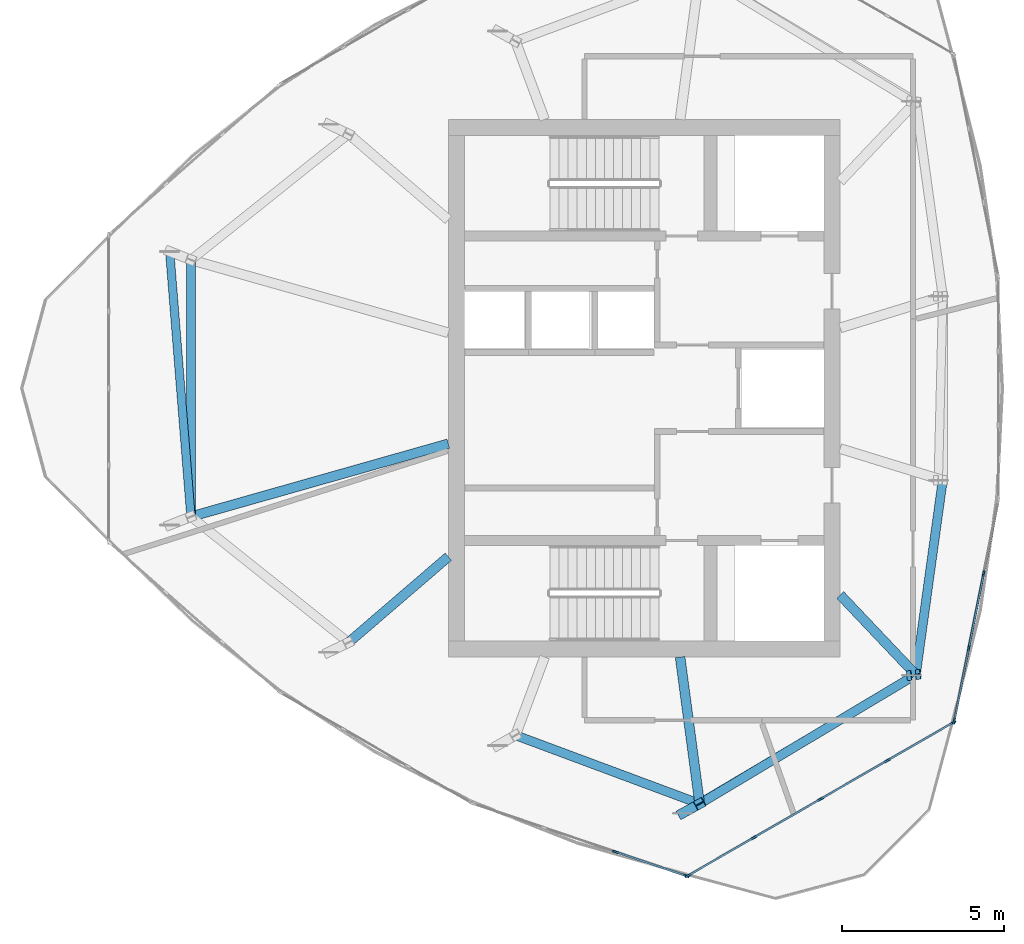
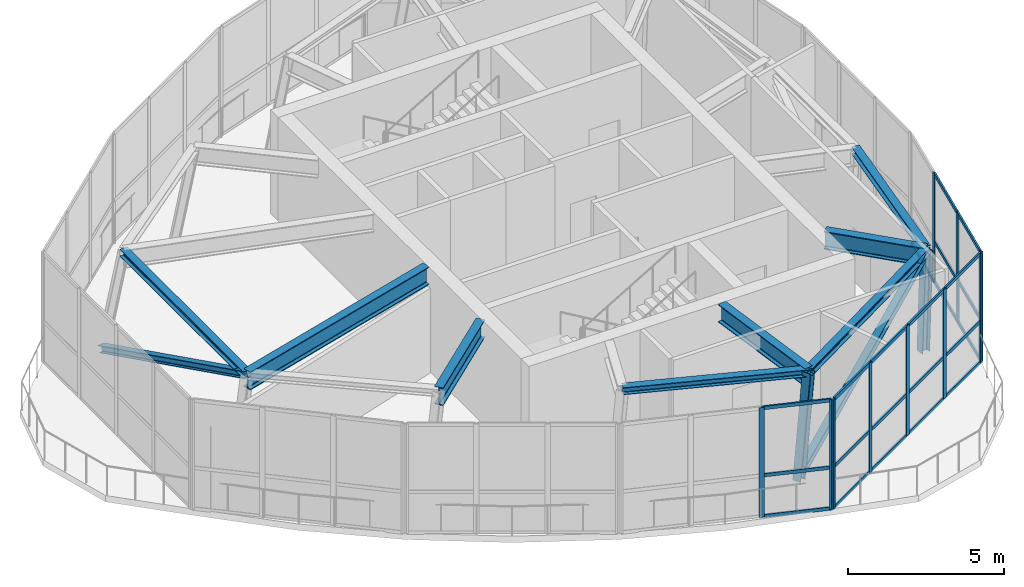
# One storey, part 2 of 11: 40 members, 4 beams, 3 elements without a shape of their own.
"""IFC4 building model written with IfcOpenShell, lengths in metres."""

from ifc_helpers import new_model, si_unit, direction, frame, origin, origin_2d, place, context, subcontext, project, spatial, rectangle, i_section, extrude, source, transform, mapped, material, layer, layer_set, material_profile, profile_set, type_object, element, aggregate, save


model = new_model("IFC4")

# Units and contexts
model_context = context("Model", 3, precision=1e-05, world=origin(), true_north=direction((0.0, 1.0)))
body_context = subcontext(model_context, "Body", "Model", "MODEL_VIEW")
ifc_project = project(units=[si_unit("LENGTHUNIT", "METRE"), si_unit("AREAUNIT", "SQUARE_METRE"), si_unit("VOLUMEUNIT", "CUBIC_METRE"), si_unit("PLANEANGLEUNIT", "RADIAN"), si_unit("MASSUNIT", "GRAM", prefix="KILO")], contexts=[model_context])

# Site, building, storey
site_placement = place(None, origin())
site = spatial("IfcSite", under=ifc_project, at=site_placement, CompositionType="ELEMENT")
building_placement = place(site_placement, origin())
building = spatial("IfcBuilding", under=site, at=building_placement, Name="Qafzar Sky-Pleat Residences", CompositionType="ELEMENT")
storey_placement = place(building_placement, frame((0.0, 0.0, 253.199951171875)))
storey = spatial("IfcBuildingStorey", under=building, at=storey_placement, Name="L76 Crown", CompositionType="ELEMENT", Elevation=253.199951171875)

# Members
ifc_material_1 = material(Name="Steel S460", Category="steel")
ifc_material_profile_1 = material_profile(ifc_material_1, i_section(OverallWidth=0.300048828125, OverallDepth=0.300048828125, WebThickness=0.010986328125, FlangeThickness=0.01904296875, FilletRadius=0.027099609375, at=origin_2d()), Name="HEB 300")
ifc_profile_set_1 = profile_set([ifc_material_profile_1], Name="Steel S460")
member_type_1 = type_object("IfcMemberType", Name="MEM-CROWN-RIB", PredefinedType="CHORD", material=ifc_profile_set_1)
shared_shape_1 = source(origin(), body_context, "Body", "SweptSolid", [
    extrude(i_section(OverallWidth=0.300048828125, OverallDepth=0.300048828125, WebThickness=0.010986328125, FlangeThickness=0.01904296875, FilletRadius=0.027099609375, at=origin_2d()), origin(), (0.0, 0.0, 1.0), 3.941650390625),
])
member_1_placement = place(storey_placement, frame((31.535400390625, 12.8818359375, 0.0), z_axis=(0.133165190514, 0.073086011538, 0.988395400107), x_axis=(-0.481135942718, 0.876645997325, 0.0)))
element("IfcMember", 1, at=member_1_placement, inside=storey, type_object=member_type_1, Name="L76 Crown CROWN FRAME Inclined Rib 5", PredefinedType="CHORD", context=body_context, shape_type="MappedRepresentation", body=[
    mapped(shared_shape_1, transform((0.0, 0.0, 0.0), x_axis=(1.0, 0.0, 0.0), y_axis=(0.0, 1.0, 0.0), z_axis=(0.0, 0.0, 1.0), scale=1.0)),
])
shared_shape_2 = source(origin(), body_context, "Body", "SweptSolid", [
    extrude(i_section(OverallWidth=0.300048828125, OverallDepth=0.300048828125, WebThickness=0.010986328125, FlangeThickness=0.01904296875, FilletRadius=0.027099609375, at=origin_2d()), origin(), (0.0, 0.0, 1.0), 3.898193359375),
])
member_2_placement = place(storey_placement, frame((38.60302734375, 17.138916015625, 0.0), z_axis=(0.033318716266, 0.00413352495, 0.99943622964), x_axis=(-0.123116331212, 0.99239224553, 0.0)))
element("IfcMember", 2, at=member_2_placement, inside=storey, type_object=member_type_1, Name="L76 Crown CROWN FRAME Inclined Rib 6", PredefinedType="CHORD", context=body_context, shape_type="MappedRepresentation", body=[
    mapped(shared_shape_2, transform((0.0, 0.0, 0.0), x_axis=(1.0, 0.0, 0.0), y_axis=(0.0, 1.0, 0.0), z_axis=(0.0, 0.0, 1.0), scale=1.0)),
])
ifc_material_2 = material(Name="Steel S355", Category="steel")
ifc_material_profile_2 = material_profile(ifc_material_2, i_section(OverallWidth=0.280029296875, OverallDepth=0.280029296875, WebThickness=0.010498046875, FlangeThickness=0.01806640625, FilletRadius=0.02392578125, at=origin_2d()), Name="HEB 280")
ifc_profile_set_2 = profile_set([ifc_material_profile_2], Name="Steel S355")
member_type_2 = type_object("IfcMemberType", Name="MEM-CROWN-RING", PredefinedType="PURLIN", material=ifc_profile_set_2)
shared_shape_3 = source(origin(), body_context, "Body", "SweptSolid", [
    extrude(i_section(OverallWidth=0.280029296875, OverallDepth=0.280029296875, WebThickness=0.010498046875, FlangeThickness=0.01806640625, FilletRadius=0.02392578125, at=origin_2d()), origin(), (0.0, 0.0, 1.0), 7.9287109375),
])
member_3_placement = place(storey_placement, frame((16.35302734375, 29.96435546875, 3.906005859375), z_axis=(0.0, -1.0, 0.0), x_axis=(1.0, 0.0, 0.0)))
element("IfcMember", 3, at=member_3_placement, inside=storey, type_object=member_type_2, Name="L76 Crown CROWN FRAME Ring Beam 1", PredefinedType="PURLIN", context=body_context, shape_type="MappedRepresentation", body=[
    mapped(shared_shape_3, transform((0.0, 0.0, 0.0), x_axis=(1.0, 0.0, 0.0), y_axis=(0.0, 1.0, 0.0), z_axis=(0.0, 0.0, 1.0), scale=1.0)),
])
ifc_material_profile_3 = material_profile(ifc_material_2, i_section(OverallWidth=0.260009765625, OverallDepth=0.260009765625, WebThickness=0.010009765625, FlangeThickness=0.017578125, FilletRadius=0.02392578125, at=origin_2d()), Name="HEB 260")
ifc_profile_set_3 = profile_set([ifc_material_profile_3], Name="Steel S355")
member_type_3 = type_object("IfcMemberType", Name="MEM-CROWN-DIAG", PredefinedType="BRACE", material=ifc_profile_set_3)
shared_shape_4 = source(origin(), body_context, "Body", "SweptSolid", [
    extrude(i_section(OverallWidth=0.260009765625, OverallDepth=0.260009765625, WebThickness=0.010009765625, FlangeThickness=0.017578125, FilletRadius=0.02392578125, at=origin_2d()), origin(), (0.0, 0.0, 1.0), 9.015625),
])
member_4_placement = place(storey_placement, frame((15.69580078125, 30.223388671875, 0.199951171875), z_axis=(0.072899177767, -0.908179689742, 0.412183649628), x_axis=(0.996793884372, 0.080012199563, 0.0)))
element("IfcMember", 4, at=member_4_placement, inside=storey, type_object=member_type_3, Name="L76 Crown CROWN FRAME Wind Brace 1", PredefinedType="BRACE", context=body_context, shape_type="MappedRepresentation", body=[
    mapped(shared_shape_4, transform((0.0, 0.0, 0.0), x_axis=(1.0, 0.0, 0.0), y_axis=(0.0, 1.0, 0.0), z_axis=(0.0, 0.0, 1.0), scale=1.0)),
])
shared_shape_5 = source(origin(), body_context, "Body", "SweptSolid", [
    extrude(i_section(OverallWidth=0.280029296875, OverallDepth=0.280029296875, WebThickness=0.010498046875, FlangeThickness=0.01806640625, FilletRadius=0.02392578125, at=origin_2d()), origin(), (0.0, 0.0, 1.0), 6.066162109375),
])
member_5_placement = place(storey_placement, frame((26.375244140625, 15.2861328125, 3.906005859375), z_axis=(0.937176568402, -0.348855384991, 0.0), x_axis=(0.348855384991, 0.937176568402, 0.0)))
element("IfcMember", 5, at=member_5_placement, inside=storey, type_object=member_type_2, Name="L76 Crown CROWN FRAME Ring Beam 4", PredefinedType="PURLIN", context=body_context, shape_type="MappedRepresentation", body=[
    mapped(shared_shape_5, transform((0.0, 0.0, 0.0), x_axis=(1.0, 0.0, 0.0), y_axis=(0.0, 1.0, 0.0), z_axis=(0.0, 0.0, 1.0), scale=1.0)),
])
shared_shape_6 = source(origin(), body_context, "Body", "SweptSolid", [
    extrude(i_section(OverallWidth=0.280029296875, OverallDepth=0.280029296875, WebThickness=0.010498046875, FlangeThickness=0.01806640625, FilletRadius=0.02392578125, at=origin_2d()), origin(), (0.0, 0.0, 1.0), 7.77197265625),
])
member_6_placement = place(storey_placement, frame((32.060302734375, 13.169921875, 3.906005859375), z_axis=(0.858538851702, 0.512748515471, 0.0), x_axis=(-0.512748515471, 0.858538851702, 0.0)))
element("IfcMember", 6, at=member_6_placement, inside=storey, type_object=member_type_2, Name="L76 Crown CROWN FRAME Ring Beam 5", PredefinedType="PURLIN", context=body_context, shape_type="MappedRepresentation", body=[
    mapped(shared_shape_6, transform((0.0, 0.0, 0.0), x_axis=(1.0, 0.0, 0.0), y_axis=(0.0, 1.0, 0.0), z_axis=(0.0, 0.0, 1.0), scale=1.0)),
])
shared_shape_7 = source(origin(), body_context, "Body", "SweptSolid", [
    extrude(i_section(OverallWidth=0.260009765625, OverallDepth=0.260009765625, WebThickness=0.010009765625, FlangeThickness=0.017578125, FilletRadius=0.02392578125, at=origin_2d()), origin(), (0.0, 0.0, 1.0), 9.158203125),
])
member_7_placement = place(storey_placement, frame((31.535400390625, 12.8818359375, 0.199951171875), z_axis=(0.785904860272, 0.466595189083, 0.405761605041), x_axis=(-0.510509776411, 0.859871948716, 0.0)))
element("IfcMember", 7, at=member_7_placement, inside=storey, type_object=member_type_3, Name="L76 Crown CROWN FRAME Wind Brace 5", PredefinedType="BRACE", context=body_context, shape_type="MappedRepresentation", body=[
    mapped(shared_shape_7, transform((0.0, 0.0, 0.0), x_axis=(1.0, 0.0, 0.0), y_axis=(0.0, 1.0, 0.0), z_axis=(0.0, 0.0, 1.0), scale=1.0)),
])
shared_shape_8 = source(origin(), body_context, "Body", "SweptSolid", [
    extrude(i_section(OverallWidth=0.280029296875, OverallDepth=0.280029296875, WebThickness=0.010498046875, FlangeThickness=0.01806640625, FilletRadius=0.02392578125, at=origin_2d()), origin(), (0.0, 0.0, 1.0), 6.064208984375),
])
member_8_placement = place(storey_placement, frame((38.73291015625, 17.155029296875, 3.906005859375), z_axis=(0.137125102778, 0.990553737153, 0.0), x_axis=(-0.990553737153, 0.137125102778, 0.0)))
element("IfcMember", 8, at=member_8_placement, inside=storey, type_object=member_type_2, Name="L76 Crown CROWN FRAME Ring Beam 6", PredefinedType="PURLIN", context=body_context, shape_type="MappedRepresentation", body=[
    mapped(shared_shape_8, transform((0.0, 0.0, 0.0), x_axis=(1.0, 0.0, 0.0), y_axis=(0.0, 1.0, 0.0), z_axis=(0.0, 0.0, 1.0), scale=1.0)),
])

# Beams
ifc_material_profile_4 = material_profile(ifc_material_1, i_section(OverallWidth=0.300048828125, OverallDepth=0.699951171875, WebThickness=0.01708984375, FlangeThickness=0.031982421875, FilletRadius=0.027099609375, at=origin_2d()), Name="HEB 700")
ifc_profile_set_4 = profile_set([ifc_material_profile_4], Name="Steel S460")
beam_type = type_object("IfcBeamType", Name="BM-CHORD-HEB700", PredefinedType="BEAM", material=ifc_profile_set_4)
shared_shape_9 = source(origin(), body_context, "Body", "SweptSolid", [
    extrude(i_section(OverallWidth=0.300048828125, OverallDepth=0.699951171875, WebThickness=0.01708984375, FlangeThickness=0.031982421875, FilletRadius=0.027099609375, at=origin_2d()), origin(), (0.0, 0.0, 1.0), 8.259521484375),
])
beam_1_placement = place(storey_placement, frame((16.35302734375, 22.03564453125, 3.697998046875), z_axis=(0.962156051148, 0.272499051812, 0.0), x_axis=(-0.272499051812, 0.962156051148, 0.0)))
element("IfcBeam", 9, at=beam_1_placement, inside=storey, type_object=beam_type, Name="L77 Crown Crown Rib Base Transfer Beam 2", PredefinedType="BEAM", context=body_context, shape_type="MappedRepresentation", body=[
    mapped(shared_shape_9, transform((0.0, 0.0, 0.0), x_axis=(1.0, 0.0, 0.0), y_axis=(0.0, 1.0, 0.0), z_axis=(0.0, 0.0, 1.0), scale=1.0)),
])
shared_shape_10 = source(origin(), body_context, "Body", "SweptSolid", [
    extrude(i_section(OverallWidth=0.300048828125, OverallDepth=0.699951171875, WebThickness=0.01708984375, FlangeThickness=0.031982421875, FilletRadius=0.027099609375, at=origin_2d()), origin(), (0.0, 0.0, 1.0), 4.06201171875),
])
beam_2_placement = place(storey_placement, frame((21.219970703125, 18.150390625, 3.697998046875), z_axis=(0.758267198788, 0.651943904982, 0.0), x_axis=(-0.651943904982, 0.758267198788, 0.0)))
element("IfcBeam", 10, at=beam_2_placement, inside=storey, type_object=beam_type, Name="L77 Crown Crown Rib Base Transfer Beam 3", PredefinedType="BEAM", context=body_context, shape_type="MappedRepresentation", body=[
    mapped(shared_shape_10, transform((0.0, 0.0, 0.0), x_axis=(1.0, 0.0, 0.0), y_axis=(0.0, 1.0, 0.0), z_axis=(0.0, 0.0, 1.0), scale=1.0)),
])
shared_shape_11 = source(origin(), body_context, "Body", "SweptSolid", [
    extrude(i_section(OverallWidth=0.300048828125, OverallDepth=0.699951171875, WebThickness=0.01708984375, FlangeThickness=0.031982421875, FilletRadius=0.027099609375, at=origin_2d()), origin(), (0.0, 0.0, 1.0), 4.570068359375),
])
beam_3_placement = place(storey_placement, frame((32.060302734375, 13.169921875, 3.697998046875), z_axis=(-0.132163720091, 0.991227900683, 0.0), x_axis=(-0.991227900683, -0.132163720091, 0.0)))
element("IfcBeam", 11, at=beam_3_placement, inside=storey, type_object=beam_type, Name="L77 Crown Crown Rib Base Transfer Beam 5", PredefinedType="BEAM", context=body_context, shape_type="MappedRepresentation", body=[
    mapped(shared_shape_11, transform((0.0, 0.0, 0.0), x_axis=(1.0, 0.0, 0.0), y_axis=(0.0, 1.0, 0.0), z_axis=(0.0, 0.0, 1.0), scale=1.0)),
])
shared_shape_12 = source(origin(), body_context, "Body", "SweptSolid", [
    extrude(i_section(OverallWidth=0.300048828125, OverallDepth=0.699951171875, WebThickness=0.01708984375, FlangeThickness=0.031982421875, FilletRadius=0.027099609375, at=origin_2d()), origin(), (0.0, 0.0, 1.0), 3.391357421875),
])
beam_4_placement = place(storey_placement, frame((38.73291015625, 17.155029296875, 3.697998046875), z_axis=(-0.68792034231, 0.725786196229, 0.0), x_axis=(-0.725786196229, -0.68792034231, 0.0)))
element("IfcBeam", 12, at=beam_4_placement, inside=storey, type_object=beam_type, Name="L77 Crown Crown Rib Base Transfer Beam 6", PredefinedType="BEAM", context=body_context, shape_type="MappedRepresentation", body=[
    mapped(shared_shape_12, transform((0.0, 0.0, 0.0), x_axis=(1.0, 0.0, 0.0), y_axis=(0.0, 1.0, 0.0), z_axis=(0.0, 0.0, 1.0), scale=1.0)),
])

# Curtain wall, members
ifc_material_3 = material(Name="Anodised bronze aluminium framing", Category="aluminium")
ifc_layer = layer(ifc_material_3, 0.179931640625)
ifc_layer_set = layer_set([ifc_layer], Name="Anodised bronze aluminium framing")
curtain_wall_type = type_object("IfcCurtainWallType", Name="CW-SYS-06", PredefinedType="NOTDEFINED", material=ifc_layer_set)
curtain_wall_1_placement = place(storey_placement, origin())
curtain_wall_1 = element("IfcCurtainWall", 13, at=curtain_wall_1_placement, inside=storey, type_object=curtain_wall_type, Name="L76 Crown CW-06 Curtain Wall CW-CROWN-01-04", PredefinedType="NOTDEFINED")
ifc_material_4 = material(Name="Anodised bronze aluminium", Category="aluminium")
ifc_material_profile_5 = material_profile(ifc_material_4, rectangle(XDim=0.06005859375, YDim=0.179931640625, at=origin_2d()), Name="ALU MULLION 60x180")
ifc_profile_set_5 = profile_set([ifc_material_profile_5], Name="Anodised bronze aluminium")
member_type_4 = type_object("IfcMemberType", Name="CWM-06", PredefinedType="MULLION", material=ifc_profile_set_5)
shared_shape_13 = source(origin(), body_context, "Body", "SweptSolid", [
    extrude(rectangle(XDim=0.06005859375, YDim=0.179931640625, at=origin_2d()), origin(), (0.0, 0.0, 1.0), 4.300048828125),
])
member_9_placement = place(storey_placement, frame((29.461181640625, 11.685302734375, 0.0), z_axis=(0.0, 0.0, 1.0), x_axis=(0.320453965191, 0.947264089995, 0.0)))
member_9 = element("IfcMember", 14, at=member_9_placement, type_object=member_type_4, Name="CW-06 mullion 3", PredefinedType="MULLION", context=body_context, shape_type="MappedRepresentation", body=[
    mapped(shared_shape_13, transform((0.0, 0.0, 0.0), x_axis=(1.0, 0.0, 0.0), y_axis=(0.0, 1.0, 0.0), z_axis=(0.0, 0.0, 1.0), scale=1.0)),
])
member_10_placement = place(storey_placement, frame((31.645751953125, 10.9462890625, 0.0), z_axis=(0.0, 0.0, 1.0), x_axis=(0.320453965191, 0.947264089995, 0.0)))
member_10 = element("IfcMember", 15, at=member_10_placement, type_object=member_type_4, Name="CW-06 mullion 4", PredefinedType="MULLION", context=body_context, shape_type="MappedRepresentation", body=[
    mapped(shared_shape_13, transform((0.0, 0.0, 0.0), x_axis=(1.0, 0.0, 0.0), y_axis=(0.0, 1.0, 0.0), z_axis=(0.0, 0.0, 1.0), scale=1.0)),
])

curtain_wall_2_placement = place(storey_placement, origin())
curtain_wall_2 = element("IfcCurtainWall", 16, at=curtain_wall_2_placement, inside=storey, type_object=curtain_wall_type, Name="L76 Crown CW-06 Curtain Wall CW-CROWN-01-05", PredefinedType="NOTDEFINED")
member_11_placement = place(storey_placement, frame((31.7001953125, 10.95166015625, 0.0), z_axis=(0.0, 0.0, 1.0), x_axis=(-0.50000340554, 0.866023437586, 0.0)))
member_11 = element("IfcMember", 17, at=member_11_placement, type_object=member_type_4, Name="CW-06 mullion 1", PredefinedType="MULLION", context=body_context, shape_type="MappedRepresentation", body=[
    mapped(shared_shape_13, transform((0.0, 0.0, 0.0), x_axis=(1.0, 0.0, 0.0), y_axis=(0.0, 1.0, 0.0), z_axis=(0.0, 0.0, 1.0), scale=1.0)),
])
member_12_placement = place(storey_placement, frame((33.733154296875, 12.12548828125, 0.0), z_axis=(0.0, 0.0, 1.0), x_axis=(-0.50000340554, 0.866023437586, 0.0)))
member_12 = element("IfcMember", 18, at=member_12_placement, type_object=member_type_4, Name="CW-06 mullion 2", PredefinedType="MULLION", context=body_context, shape_type="MappedRepresentation", body=[
    mapped(shared_shape_13, transform((0.0, 0.0, 0.0), x_axis=(1.0, 0.0, 0.0), y_axis=(0.0, 1.0, 0.0), z_axis=(0.0, 0.0, 1.0), scale=1.0)),
])
member_13_placement = place(storey_placement, frame((35.7919921875, 13.314208984375, 0.0), z_axis=(0.0, 0.0, 1.0), x_axis=(-0.50000340554, 0.866023437586, 0.0)))
member_13 = element("IfcMember", 19, at=member_13_placement, type_object=member_type_4, Name="CW-06 mullion 3", PredefinedType="MULLION", context=body_context, shape_type="MappedRepresentation", body=[
    mapped(shared_shape_13, transform((0.0, 0.0, 0.0), x_axis=(1.0, 0.0, 0.0), y_axis=(0.0, 1.0, 0.0), z_axis=(0.0, 0.0, 1.0), scale=1.0)),
])
member_14_placement = place(storey_placement, frame((37.85107421875, 14.5029296875, 0.0), z_axis=(0.0, 0.0, 1.0), x_axis=(-0.50000340554, 0.866023437586, 0.0)))
member_14 = element("IfcMember", 20, at=member_14_placement, type_object=member_type_4, Name="CW-06 mullion 4", PredefinedType="MULLION", context=body_context, shape_type="MappedRepresentation", body=[
    mapped(shared_shape_13, transform((0.0, 0.0, 0.0), x_axis=(1.0, 0.0, 0.0), y_axis=(0.0, 1.0, 0.0), z_axis=(0.0, 0.0, 1.0), scale=1.0)),
])
member_15_placement = place(storey_placement, frame((39.884033203125, 15.6767578125, 0.0), z_axis=(0.0, 0.0, 1.0), x_axis=(-0.50000340554, 0.866023437586, 0.0)))
member_15 = element("IfcMember", 21, at=member_15_placement, type_object=member_type_4, Name="CW-06 mullion 5", PredefinedType="MULLION", context=body_context, shape_type="MappedRepresentation", body=[
    mapped(shared_shape_13, transform((0.0, 0.0, 0.0), x_axis=(1.0, 0.0, 0.0), y_axis=(0.0, 1.0, 0.0), z_axis=(0.0, 0.0, 1.0), scale=1.0)),
])

curtain_wall_3_placement = place(storey_placement, origin())
curtain_wall_3 = element("IfcCurtainWall", 22, at=curtain_wall_3_placement, inside=storey, type_object=curtain_wall_type, Name="L76 Crown CW-06 Curtain Wall CW-CROWN-01-06", PredefinedType="NOTDEFINED")
member_16_placement = place(storey_placement, frame((39.916015625, 15.72119140625, 0.0), z_axis=(0.0, 0.0, 1.0), x_axis=(-0.980581224497, 0.196113391089, 0.0)))
member_16 = element("IfcMember", 23, at=member_16_placement, type_object=member_type_4, Name="CW-06 mullion 1", PredefinedType="MULLION", context=body_context, shape_type="MappedRepresentation", body=[
    mapped(shared_shape_13, transform((0.0, 0.0, 0.0), x_axis=(1.0, 0.0, 0.0), y_axis=(0.0, 1.0, 0.0), z_axis=(0.0, 0.0, 1.0), scale=1.0)),
])
member_17_placement = place(storey_placement, frame((40.3681640625, 17.982421875, 0.0), z_axis=(0.0, 0.0, 1.0), x_axis=(-0.980581224497, 0.196113391089, 0.0)))
member_17 = element("IfcMember", 24, at=member_17_placement, type_object=member_type_4, Name="CW-06 mullion 2", PredefinedType="MULLION", context=body_context, shape_type="MappedRepresentation", body=[
    mapped(shared_shape_13, transform((0.0, 0.0, 0.0), x_axis=(1.0, 0.0, 0.0), y_axis=(0.0, 1.0, 0.0), z_axis=(0.0, 0.0, 1.0), scale=1.0)),
])
member_18_placement = place(storey_placement, frame((40.826416015625, 20.273193359375, 0.0), z_axis=(0.0, 0.0, 1.0), x_axis=(-0.980581224497, 0.196113391089, 0.0)))
member_18 = element("IfcMember", 25, at=member_18_placement, type_object=member_type_4, Name="CW-06 mullion 3", PredefinedType="MULLION", context=body_context, shape_type="MappedRepresentation", body=[
    mapped(shared_shape_13, transform((0.0, 0.0, 0.0), x_axis=(1.0, 0.0, 0.0), y_axis=(0.0, 1.0, 0.0), z_axis=(0.0, 0.0, 1.0), scale=1.0)),
])

# Member
ifc_material_profile_6 = material_profile(ifc_material_4, rectangle(XDim=0.06005859375, YDim=0.135009765625, at=origin_2d()), Name="ALU TRANSOM 60x135")
ifc_profile_set_6 = profile_set([ifc_material_profile_6], Name="Anodised bronze aluminium")
member_type_5 = type_object("IfcMemberType", Name="CWT-06", PredefinedType="USERDEFINED", material=ifc_profile_set_6)
shared_shape_14 = source(origin(), body_context, "Body", "SweptSolid", [
    extrude(rectangle(XDim=0.06005859375, YDim=0.135009765625, at=origin_2d()), origin(), (0.0, 0.0, 1.0), 2.317626953125),
])
member_19_placement = place(storey_placement, frame((33.759033203125, 12.140380859375, 0.030029296875), z_axis=(0.865997877636, 0.500047673657, 0.0), x_axis=(-0.500047673657, 0.865997877636, 0.0)))
member_19 = element("IfcMember", 26, at=member_19_placement, type_object=member_type_5, Name="CW-06 transom 2.1", ObjectType="TRANSOM", PredefinedType="USERDEFINED", context=body_context, shape_type="MappedRepresentation", body=[
    mapped(shared_shape_14, transform((0.0, 0.0, 0.0), x_axis=(1.0, 0.0, 0.0), y_axis=(0.0, 1.0, 0.0), z_axis=(0.0, 0.0, 1.0), scale=1.0)),
])

member_20_placement = place(storey_placement, frame((33.759033203125, 12.140380859375, 1.634033203125), z_axis=(0.865997877636, 0.500047673657, 0.0), x_axis=(-0.500047673657, 0.865997877636, 0.0)))
member_20 = element("IfcMember", 27, at=member_20_placement, type_object=member_type_5, Name="CW-06 transom 2.2", ObjectType="TRANSOM", PredefinedType="USERDEFINED", context=body_context, shape_type="MappedRepresentation", body=[
    mapped(shared_shape_14, transform((0.0, 0.0, 0.0), x_axis=(1.0, 0.0, 0.0), y_axis=(0.0, 1.0, 0.0), z_axis=(0.0, 0.0, 1.0), scale=1.0)),
])

member_21_placement = place(storey_placement, frame((33.759033203125, 12.140380859375, 4.27001953125), z_axis=(0.865997877636, 0.500047673657, 0.0), x_axis=(-0.500047673657, 0.865997877636, 0.0)))
member_21 = element("IfcMember", 28, at=member_21_placement, type_object=member_type_5, Name="CW-06 transom 2.3", ObjectType="TRANSOM", PredefinedType="USERDEFINED", context=body_context, shape_type="MappedRepresentation", body=[
    mapped(shared_shape_14, transform((0.0, 0.0, 0.0), x_axis=(1.0, 0.0, 0.0), y_axis=(0.0, 1.0, 0.0), z_axis=(0.0, 0.0, 1.0), scale=1.0)),
])

member_22_placement = place(storey_placement, frame((35.818115234375, 13.329345703125, 0.030029296875), z_axis=(0.866043492773, 0.499968667644, 0.0), x_axis=(-0.499968667644, 0.866043492773, 0.0)))
member_22 = element("IfcMember", 29, at=member_22_placement, type_object=member_type_5, Name="CW-06 transom 3.1", ObjectType="TRANSOM", PredefinedType="USERDEFINED", context=body_context, shape_type="MappedRepresentation", body=[
    mapped(shared_shape_14, transform((0.0, 0.0, 0.0), x_axis=(1.0, 0.0, 0.0), y_axis=(0.0, 1.0, 0.0), z_axis=(0.0, 0.0, 1.0), scale=1.0)),
])

member_23_placement = place(storey_placement, frame((35.818115234375, 13.329345703125, 1.634033203125), z_axis=(0.866043492773, 0.499968667644, 0.0), x_axis=(-0.499968667644, 0.866043492773, 0.0)))
member_23 = element("IfcMember", 30, at=member_23_placement, type_object=member_type_5, Name="CW-06 transom 3.2", ObjectType="TRANSOM", PredefinedType="USERDEFINED", context=body_context, shape_type="MappedRepresentation", body=[
    mapped(shared_shape_14, transform((0.0, 0.0, 0.0), x_axis=(1.0, 0.0, 0.0), y_axis=(0.0, 1.0, 0.0), z_axis=(0.0, 0.0, 1.0), scale=1.0)),
])

member_24_placement = place(storey_placement, frame((35.818115234375, 13.329345703125, 4.27001953125), z_axis=(0.866043492773, 0.499968667644, 0.0), x_axis=(-0.499968667644, 0.866043492773, 0.0)))
member_24 = element("IfcMember", 31, at=member_24_placement, type_object=member_type_5, Name="CW-06 transom 3.3", ObjectType="TRANSOM", PredefinedType="USERDEFINED", context=body_context, shape_type="MappedRepresentation", body=[
    mapped(shared_shape_14, transform((0.0, 0.0, 0.0), x_axis=(1.0, 0.0, 0.0), y_axis=(0.0, 1.0, 0.0), z_axis=(0.0, 0.0, 1.0), scale=1.0)),
])

shared_shape_15 = source(origin(), body_context, "Body", "SweptSolid", [
    extrude(rectangle(XDim=0.06005859375, YDim=0.135009765625, at=origin_2d()), origin(), (0.0, 0.0, 1.0), 2.245849609375),
])
member_25_placement = place(storey_placement, frame((29.48974609375, 11.67578125, 0.030029296875), z_axis=(0.947227649369, -0.320561663758, 0.0), x_axis=(0.320561663758, 0.947227649369, 0.0)))
member_25 = element("IfcMember", 32, at=member_25_placement, type_object=member_type_5, Name="CW-06 transom 3.1", ObjectType="TRANSOM", PredefinedType="USERDEFINED", context=body_context, shape_type="MappedRepresentation", body=[
    mapped(shared_shape_15, transform((0.0, 0.0, 0.0), x_axis=(1.0, 0.0, 0.0), y_axis=(0.0, 1.0, 0.0), z_axis=(0.0, 0.0, 1.0), scale=1.0)),
])

member_26_placement = place(storey_placement, frame((29.48974609375, 11.67578125, 1.634033203125), z_axis=(0.947227649369, -0.320561663758, 0.0), x_axis=(0.320561663758, 0.947227649369, 0.0)))
member_26 = element("IfcMember", 33, at=member_26_placement, type_object=member_type_5, Name="CW-06 transom 3.2", ObjectType="TRANSOM", PredefinedType="USERDEFINED", context=body_context, shape_type="MappedRepresentation", body=[
    mapped(shared_shape_15, transform((0.0, 0.0, 0.0), x_axis=(1.0, 0.0, 0.0), y_axis=(0.0, 1.0, 0.0), z_axis=(0.0, 0.0, 1.0), scale=1.0)),
])

member_27_placement = place(storey_placement, frame((29.48974609375, 11.67578125, 4.27001953125), z_axis=(0.947227649369, -0.320561663758, 0.0), x_axis=(0.320561663758, 0.947227649369, 0.0)))
member_27 = element("IfcMember", 34, at=member_27_placement, type_object=member_type_5, Name="CW-06 transom 3.3", ObjectType="TRANSOM", PredefinedType="USERDEFINED", context=body_context, shape_type="MappedRepresentation", body=[
    mapped(shared_shape_15, transform((0.0, 0.0, 0.0), x_axis=(1.0, 0.0, 0.0), y_axis=(0.0, 1.0, 0.0), z_axis=(0.0, 0.0, 1.0), scale=1.0)),
])

aggregate(curtain_wall_1, [member_9, member_10, member_25, member_26, member_27])

shared_shape_16 = source(origin(), body_context, "Body", "SweptSolid", [
    extrude(rectangle(XDim=0.06005859375, YDim=0.135009765625, at=origin_2d()), origin(), (0.0, 0.0, 1.0), 2.276123046875),
])
member_28_placement = place(storey_placement, frame((40.3740234375, 18.011962890625, 0.030029296875), z_axis=(0.196178015351, 0.980568297618, 0.0), x_axis=(-0.980568297618, 0.196178015351, 0.0)))
member_28 = element("IfcMember", 35, at=member_28_placement, type_object=member_type_5, Name="CW-06 transom 2.1", ObjectType="TRANSOM", PredefinedType="USERDEFINED", context=body_context, shape_type="MappedRepresentation", body=[
    mapped(shared_shape_16, transform((0.0, 0.0, 0.0), x_axis=(1.0, 0.0, 0.0), y_axis=(0.0, 1.0, 0.0), z_axis=(0.0, 0.0, 1.0), scale=1.0)),
])

member_29_placement = place(storey_placement, frame((40.3740234375, 18.011962890625, 1.634033203125), z_axis=(0.196178015351, 0.980568297618, 0.0), x_axis=(-0.980568297618, 0.196178015351, 0.0)))
member_29 = element("IfcMember", 36, at=member_29_placement, type_object=member_type_5, Name="CW-06 transom 2.2", ObjectType="TRANSOM", PredefinedType="USERDEFINED", context=body_context, shape_type="MappedRepresentation", body=[
    mapped(shared_shape_16, transform((0.0, 0.0, 0.0), x_axis=(1.0, 0.0, 0.0), y_axis=(0.0, 1.0, 0.0), z_axis=(0.0, 0.0, 1.0), scale=1.0)),
])

member_30_placement = place(storey_placement, frame((40.3740234375, 18.011962890625, 4.27001953125), z_axis=(0.196178015351, 0.980568297618, 0.0), x_axis=(-0.980568297618, 0.196178015351, 0.0)))
member_30 = element("IfcMember", 37, at=member_30_placement, type_object=member_type_5, Name="CW-06 transom 2.3", ObjectType="TRANSOM", PredefinedType="USERDEFINED", context=body_context, shape_type="MappedRepresentation", body=[
    mapped(shared_shape_16, transform((0.0, 0.0, 0.0), x_axis=(1.0, 0.0, 0.0), y_axis=(0.0, 1.0, 0.0), z_axis=(0.0, 0.0, 1.0), scale=1.0)),
])

shared_shape_17 = source(origin(), body_context, "Body", "SweptSolid", [
    extrude(rectangle(XDim=0.06005859375, YDim=0.135009765625, at=origin_2d()), origin(), (0.0, 0.0, 1.0), 2.24609375),
])
member_31_placement = place(storey_placement, frame((39.921875, 15.750732421875, 0.030029296875), z_axis=(0.196095231202, 0.980584856247, 0.0), x_axis=(-0.980584856247, 0.196095231202, 0.0)))
member_31 = element("IfcMember", 38, at=member_31_placement, type_object=member_type_5, Name="CW-06 transom 1.1", ObjectType="TRANSOM", PredefinedType="USERDEFINED", context=body_context, shape_type="MappedRepresentation", body=[
    mapped(shared_shape_17, transform((0.0, 0.0, 0.0), x_axis=(1.0, 0.0, 0.0), y_axis=(0.0, 1.0, 0.0), z_axis=(0.0, 0.0, 1.0), scale=1.0)),
])

member_32_placement = place(storey_placement, frame((39.921875, 15.750732421875, 1.634033203125), z_axis=(0.196095231202, 0.980584856247, 0.0), x_axis=(-0.980584856247, 0.196095231202, 0.0)))
member_32 = element("IfcMember", 39, at=member_32_placement, type_object=member_type_5, Name="CW-06 transom 1.2", ObjectType="TRANSOM", PredefinedType="USERDEFINED", context=body_context, shape_type="MappedRepresentation", body=[
    mapped(shared_shape_17, transform((0.0, 0.0, 0.0), x_axis=(1.0, 0.0, 0.0), y_axis=(0.0, 1.0, 0.0), z_axis=(0.0, 0.0, 1.0), scale=1.0)),
])

member_33_placement = place(storey_placement, frame((39.921875, 15.750732421875, 4.27001953125), z_axis=(0.196095231202, 0.980584856247, 0.0), x_axis=(-0.980584856247, 0.196095231202, 0.0)))
member_33 = element("IfcMember", 40, at=member_33_placement, type_object=member_type_5, Name="CW-06 transom 1.3", ObjectType="TRANSOM", PredefinedType="USERDEFINED", context=body_context, shape_type="MappedRepresentation", body=[
    mapped(shared_shape_17, transform((0.0, 0.0, 0.0), x_axis=(1.0, 0.0, 0.0), y_axis=(0.0, 1.0, 0.0), z_axis=(0.0, 0.0, 1.0), scale=1.0)),
])

member_34_placement = place(storey_placement, frame((40.832275390625, 20.302734375, 0.030029296875), z_axis=(0.196095231202, 0.980584856247, 0.0), x_axis=(-0.980584856247, 0.196095231202, 0.0)))
member_34 = element("IfcMember", 41, at=member_34_placement, type_object=member_type_5, Name="CW-06 transom 3.1", ObjectType="TRANSOM", PredefinedType="USERDEFINED", context=body_context, shape_type="MappedRepresentation", body=[
    mapped(shared_shape_17, transform((0.0, 0.0, 0.0), x_axis=(1.0, 0.0, 0.0), y_axis=(0.0, 1.0, 0.0), z_axis=(0.0, 0.0, 1.0), scale=1.0)),
])

aggregate(curtain_wall_3, [member_16, member_17, member_18, member_31, member_32, member_33, member_28, member_29, member_30, member_34])

shared_shape_18 = source(origin(), body_context, "Body", "SweptSolid", [
    extrude(rectangle(XDim=0.06005859375, YDim=0.135009765625, at=origin_2d()), origin(), (0.0, 0.0, 1.0), 2.287353515625),
])
member_35_placement = place(storey_placement, frame((31.72607421875, 10.966796875, 0.030029296875), z_axis=(0.86600784526, 0.500030411023, 0.0), x_axis=(-0.500030411023, 0.86600784526, 0.0)))
member_35 = element("IfcMember", 42, at=member_35_placement, type_object=member_type_5, Name="CW-06 transom 1.1", ObjectType="TRANSOM", PredefinedType="USERDEFINED", context=body_context, shape_type="MappedRepresentation", body=[
    mapped(shared_shape_18, transform((0.0, 0.0, 0.0), x_axis=(1.0, 0.0, 0.0), y_axis=(0.0, 1.0, 0.0), z_axis=(0.0, 0.0, 1.0), scale=1.0)),
])

member_36_placement = place(storey_placement, frame((31.72607421875, 10.966796875, 1.634033203125), z_axis=(0.86600784526, 0.500030411023, 0.0), x_axis=(-0.500030411023, 0.86600784526, 0.0)))
member_36 = element("IfcMember", 43, at=member_36_placement, type_object=member_type_5, Name="CW-06 transom 1.2", ObjectType="TRANSOM", PredefinedType="USERDEFINED", context=body_context, shape_type="MappedRepresentation", body=[
    mapped(shared_shape_18, transform((0.0, 0.0, 0.0), x_axis=(1.0, 0.0, 0.0), y_axis=(0.0, 1.0, 0.0), z_axis=(0.0, 0.0, 1.0), scale=1.0)),
])

member_37_placement = place(storey_placement, frame((31.72607421875, 10.966796875, 4.27001953125), z_axis=(0.86600784526, 0.500030411023, 0.0), x_axis=(-0.500030411023, 0.86600784526, 0.0)))
member_37 = element("IfcMember", 44, at=member_37_placement, type_object=member_type_5, Name="CW-06 transom 1.3", ObjectType="TRANSOM", PredefinedType="USERDEFINED", context=body_context, shape_type="MappedRepresentation", body=[
    mapped(shared_shape_18, transform((0.0, 0.0, 0.0), x_axis=(1.0, 0.0, 0.0), y_axis=(0.0, 1.0, 0.0), z_axis=(0.0, 0.0, 1.0), scale=1.0)),
])

member_38_placement = place(storey_placement, frame((37.877197265625, 14.51806640625, 0.030029296875), z_axis=(0.86600784526, 0.500030411023, 0.0), x_axis=(-0.500030411023, 0.86600784526, 0.0)))
member_38 = element("IfcMember", 45, at=member_38_placement, type_object=member_type_5, Name="CW-06 transom 4.1", ObjectType="TRANSOM", PredefinedType="USERDEFINED", context=body_context, shape_type="MappedRepresentation", body=[
    mapped(shared_shape_18, transform((0.0, 0.0, 0.0), x_axis=(1.0, 0.0, 0.0), y_axis=(0.0, 1.0, 0.0), z_axis=(0.0, 0.0, 1.0), scale=1.0)),
])

member_39_placement = place(storey_placement, frame((37.877197265625, 14.51806640625, 1.634033203125), z_axis=(0.86600784526, 0.500030411023, 0.0), x_axis=(-0.500030411023, 0.86600784526, 0.0)))
member_39 = element("IfcMember", 46, at=member_39_placement, type_object=member_type_5, Name="CW-06 transom 4.2", ObjectType="TRANSOM", PredefinedType="USERDEFINED", context=body_context, shape_type="MappedRepresentation", body=[
    mapped(shared_shape_18, transform((0.0, 0.0, 0.0), x_axis=(1.0, 0.0, 0.0), y_axis=(0.0, 1.0, 0.0), z_axis=(0.0, 0.0, 1.0), scale=1.0)),
])

member_40_placement = place(storey_placement, frame((37.877197265625, 14.51806640625, 4.27001953125), z_axis=(0.86600784526, 0.500030411023, 0.0), x_axis=(-0.500030411023, 0.86600784526, 0.0)))
member_40 = element("IfcMember", 47, at=member_40_placement, type_object=member_type_5, Name="CW-06 transom 4.3", ObjectType="TRANSOM", PredefinedType="USERDEFINED", context=body_context, shape_type="MappedRepresentation", body=[
    mapped(shared_shape_18, transform((0.0, 0.0, 0.0), x_axis=(1.0, 0.0, 0.0), y_axis=(0.0, 1.0, 0.0), z_axis=(0.0, 0.0, 1.0), scale=1.0)),
])

aggregate(curtain_wall_2, [member_11, member_12, member_13, member_14, member_15, member_35, member_36, member_37, member_19, member_20, member_21, member_22, member_23, member_24, member_38, member_39, member_40])

save(model, "model.ifc")
